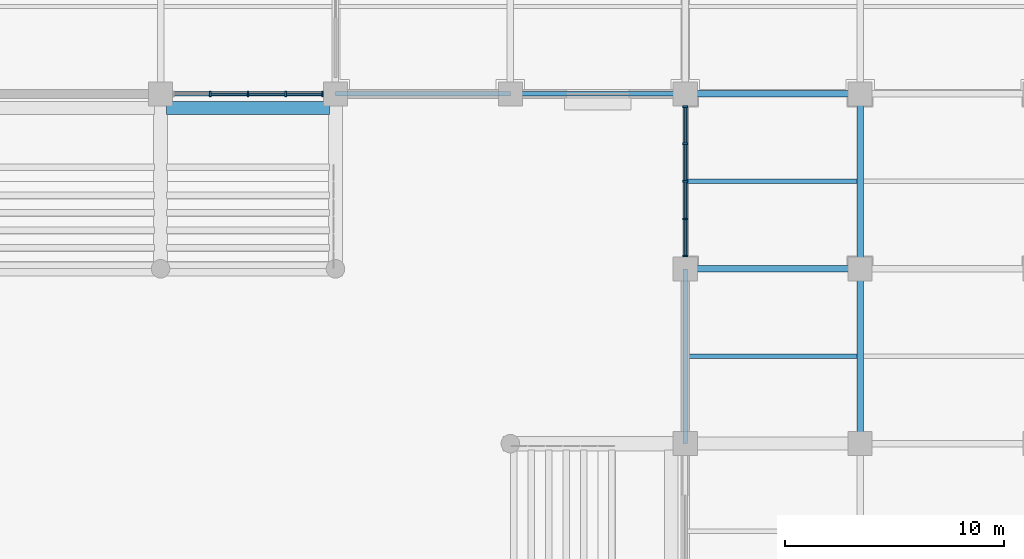
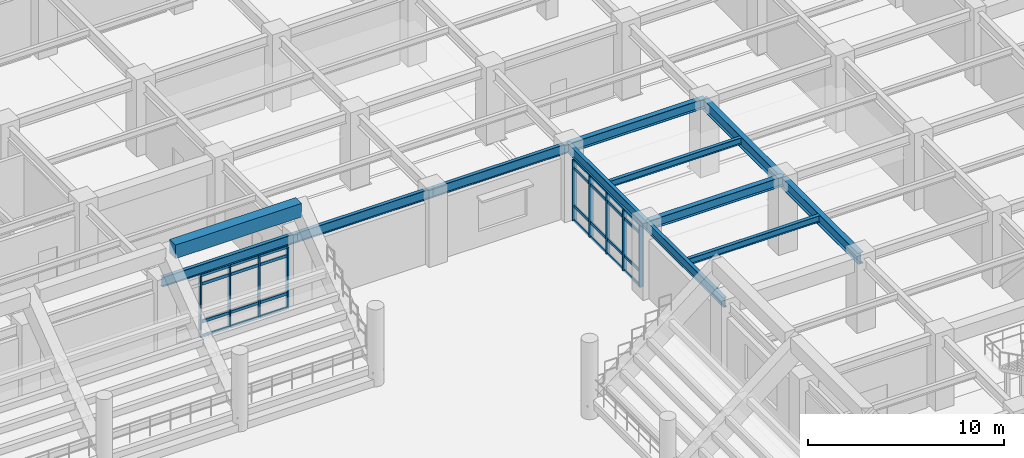
# One storey, part 48 of 125: 37 members, 12 beams, 2 elements without a shape of their own.
"""IFC4 building model written with IfcOpenShell, lengths in metres."""

from ifc_helpers import new_model, si_unit, direction, frame, origin, origin_2d, place, context, subcontext, project, spatial, rectangle, i_section, extrude, material, layer, layer_set, material_profile, profile_set, type_object, element, aggregate, save


model = new_model("IFC4")

# Units and contexts
model_context = context("Model", 3, precision=1e-05, world=origin(), true_north=direction((0.0, 1.0)))
body_context = subcontext(model_context, "Body", "Model", "MODEL_VIEW")
ifc_project = project(units=[si_unit("LENGTHUNIT", "METRE"), si_unit("AREAUNIT", "SQUARE_METRE"), si_unit("VOLUMEUNIT", "CUBIC_METRE"), si_unit("PLANEANGLEUNIT", "RADIAN"), si_unit("MASSUNIT", "GRAM", prefix="KILO")], contexts=[model_context])

# Site, building, storey
site_placement = place(None, origin())
site = spatial("IfcSite", under=ifc_project, at=site_placement, CompositionType="ELEMENT")
building_placement = place(site_placement, origin())
building = spatial("IfcBuilding", under=site, at=building_placement, Name="Haebicheon Civic Stadium", CompositionType="ELEMENT")
storey_placement = place(building_placement, origin())
storey = spatial("IfcBuildingStorey", under=building, at=storey_placement, Name="L01", CompositionType="ELEMENT", Elevation=0.0)

# Beams
ifc_material_1 = material(Name="Steel SM355 (S355)", Category="steel")
ifc_material_profile_1 = material_profile(ifc_material_1, i_section(OverallWidth=0.300048828125, OverallDepth=0.60009765625, WebThickness=0.011962890625, FlangeThickness=0.02001953125, at=origin_2d()), Name="H-600x300x12x20")
ifc_profile_set_1 = profile_set([ifc_material_profile_1], Name="Steel SM355 (S355)")
beam_type_1 = type_object("IfcBeamType", Name="BM-ST-H600A", PredefinedType="BEAM", material=ifc_profile_set_1)
for number, where, z_axis, x_axis, name in (
    (1, (144.0, 144.0, 4.219970703125), (1.0, 0.0, 0.0), (0.0, 1.0, 0.0), "L01 beam U/19-20"),
    (2, (144.0, 152.0, 4.219970703125), (1.0, 0.0, 0.0), (0.0, 1.0, 0.0), "L01 beam V/19-20"),
):
    element("IfcBeam", number, at=place(storey_placement, frame(where, z_axis=z_axis, x_axis=x_axis)), inside=storey, type_object=beam_type_1, material=ifc_profile_set_1, Name=name, PredefinedType="BEAM", context=body_context, shape_type="SweptSolid", body=[
        extrude(i_section(OverallWidth=0.300048828125, OverallDepth=0.60009765625, WebThickness=0.011962890625, FlangeThickness=0.02001953125, at=origin_2d()), origin(), (0.0, 0.0, 1.0), 8.0),
    ])
ifc_material_2 = material(Name="Steel SM490", Category="steel")
ifc_material_profile_2 = material_profile(ifc_material_2, i_section(OverallWidth=0.300048828125, OverallDepth=0.699951171875, WebThickness=0.012939453125, FlangeThickness=0.02392578125, at=origin_2d()), Name="H-700x300x13x24")
ifc_profile_set_2 = profile_set([ifc_material_profile_2], Name="Steel SM490")
beam_type_2 = type_object("IfcBeamType", Name="BM-ST-H700", PredefinedType="BEAM", material=ifc_profile_set_2)
for number, where, z_axis, x_axis, name in (
    (3, (152.0, 136.0, 4.169921875), (0.0, 1.0, 0.0), (-1.0, 0.0, 0.0), "L01 girder 20/T-U"),
    (4, (152.0, 144.0, 4.169921875), (0.0, 1.0, 0.0), (-1.0, 0.0, 0.0), "L01 girder 20/U-V"),
):
    element("IfcBeam", number, at=place(storey_placement, frame(where, z_axis=z_axis, x_axis=x_axis)), inside=storey, type_object=beam_type_2, material=ifc_profile_set_2, Name=name, PredefinedType="BEAM", context=body_context, shape_type="SweptSolid", body=[
        extrude(i_section(OverallWidth=0.300048828125, OverallDepth=0.699951171875, WebThickness=0.012939453125, FlangeThickness=0.02392578125, at=origin_2d()), origin(), (0.0, 0.0, 1.0), 8.0),
    ])
ifc_material_3 = material(Name="Precast concrete C40/50", Category="concrete")
ifc_material_profile_3 = material_profile(ifc_material_3, rectangle(XDim=0.60009765625, YDim=0.85009765625, at=origin_2d()), Name="PC-TB-600x850")
ifc_profile_set_3 = profile_set([ifc_material_profile_3], Name="Precast concrete C40/50")
beam_type_3 = type_object("IfcBeamType", Name="BM-TB-600x850", PredefinedType="T_BEAM", material=ifc_profile_set_3)
beam_placement = place(storey_placement, frame((120.280029296875, 151.360107421875, 6.534912109375), z_axis=(1.0, 0.0, 0.0), x_axis=(0.0, 1.0, 0.0)))
element("IfcBeam", 5, at=beam_placement, inside=storey, type_object=beam_type_3, material=ifc_profile_set_3, Name="TIER-N-L upper tier bench carrier beam 6", PredefinedType="T_BEAM", context=body_context, shape_type="SweptSolid", body=[
    extrude(rectangle(XDim=0.60009765625, YDim=0.85009765625, at=origin_2d()), origin(), (0.0, 0.0, 1.0), 7.43994140625),
])

# Curtain wall, members
ifc_material_4 = material(Name="Anodised aluminium and laminated glass", Category="aluminium")
ifc_layer = layer(ifc_material_4, 0.179931640625, Name="Anodised aluminium and laminated glass")
ifc_layer_set = layer_set([ifc_layer], Name="Anodised aluminium and laminated glass")
curtain_wall_type = type_object("IfcCurtainWallType", Name="CW-6900x3810", PredefinedType="NOTDEFINED", material=ifc_layer_set)
curtain_wall_1_placement = place(storey_placement, origin())
curtain_wall_1 = element("IfcCurtainWall", 6, at=curtain_wall_1_placement, inside=storey, type_object=curtain_wall_type, material=ifc_layer_set, Name="L01 unitised curtain wall 011", PredefinedType="NOTDEFINED")
ifc_material_5 = material(Name="Anodised aluminium 6063-T6", Category="aluminium")
ifc_material_profile_4 = material_profile(ifc_material_5, rectangle(XDim=0.080078125, YDim=0.239990234375, at=origin_2d()), Name="ALU-MULL-80x240")
ifc_profile_set_4 = profile_set([ifc_material_profile_4], Name="Anodised aluminium 6063-T6")
member_type_1 = type_object("IfcMemberType", Name="CWM-240x80", PredefinedType="MULLION", material=ifc_profile_set_4)
member_1_placement = place(storey_placement, frame((122.27490234375, 152.0, 0.0), z_axis=(0.0, 0.0, 1.0), x_axis=(1.0, 0.0, 0.0)))
member_1 = element("IfcMember", 7, at=member_1_placement, type_object=member_type_1, material=ifc_profile_set_4, Name="CW-L01-011 vertical mullion 2", PredefinedType="MULLION", context=body_context, shape_type="SweptSolid", body=[
    extrude(rectangle(XDim=0.080078125, YDim=0.239990234375, at=origin_2d()), origin(), (0.0, 0.0, 1.0), 3.81005859375),
])
member_2_placement = place(storey_placement, frame((124.0, 152.0, 0.0), z_axis=(0.0, 0.0, 1.0), x_axis=(1.0, 0.0, 0.0)))
member_2 = element("IfcMember", 8, at=member_2_placement, type_object=member_type_1, material=ifc_profile_set_4, Name="CW-L01-011 vertical mullion 3", PredefinedType="MULLION", context=body_context, shape_type="SweptSolid", body=[
    extrude(rectangle(XDim=0.080078125, YDim=0.239990234375, at=origin_2d()), origin(), (0.0, 0.0, 1.0), 3.81005859375),
])
member_3_placement = place(storey_placement, frame((125.72509765625, 152.0, 0.0), z_axis=(0.0, 0.0, 1.0), x_axis=(1.0, 0.0, 0.0)))
member_3 = element("IfcMember", 9, at=member_3_placement, type_object=member_type_1, material=ifc_profile_set_4, Name="CW-L01-011 vertical mullion 4", PredefinedType="MULLION", context=body_context, shape_type="SweptSolid", body=[
    extrude(rectangle(XDim=0.080078125, YDim=0.239990234375, at=origin_2d()), origin(), (0.0, 0.0, 1.0), 3.81005859375),
])
member_4_placement = place(storey_placement, frame((127.409912109375, 152.0, 0.0), z_axis=(0.0, 0.0, 1.0), x_axis=(1.0, 0.0, 0.0)))
member_4 = element("IfcMember", 10, at=member_4_placement, type_object=member_type_1, material=ifc_profile_set_4, Name="CW-L01-011 vertical mullion 5", PredefinedType="MULLION", context=body_context, shape_type="SweptSolid", body=[
    extrude(rectangle(XDim=0.080078125, YDim=0.239990234375, at=origin_2d()), origin(), (0.0, 0.0, 1.0), 3.81005859375),
])

curtain_wall_2_placement = place(storey_placement, origin())
curtain_wall_2 = element("IfcCurtainWall", 11, at=curtain_wall_2_placement, inside=storey, type_object=curtain_wall_type, material=ifc_layer_set, Name="L01 unitised curtain wall 016", PredefinedType="NOTDEFINED")
member_5_placement = place(storey_placement, frame((144.0, 144.590087890625, 0.0), z_axis=(0.0, 0.0, 1.0), x_axis=(0.0, 1.0, 0.0)))
member_5 = element("IfcMember", 12, at=member_5_placement, type_object=member_type_1, material=ifc_profile_set_4, Name="CW-L01-016 vertical mullion 1", PredefinedType="MULLION", context=body_context, shape_type="SweptSolid", body=[
    extrude(rectangle(XDim=0.080078125, YDim=0.239990234375, at=origin_2d()), origin(), (0.0, 0.0, 1.0), 3.81005859375),
])
member_6_placement = place(storey_placement, frame((144.0, 146.27490234375, 0.0), z_axis=(0.0, 0.0, 1.0), x_axis=(0.0, 1.0, 0.0)))
member_6 = element("IfcMember", 13, at=member_6_placement, type_object=member_type_1, material=ifc_profile_set_4, Name="CW-L01-016 vertical mullion 2", PredefinedType="MULLION", context=body_context, shape_type="SweptSolid", body=[
    extrude(rectangle(XDim=0.080078125, YDim=0.239990234375, at=origin_2d()), origin(), (0.0, 0.0, 1.0), 3.81005859375),
])
member_7_placement = place(storey_placement, frame((144.0, 148.0, 0.0), z_axis=(0.0, 0.0, 1.0), x_axis=(0.0, 1.0, 0.0)))
member_7 = element("IfcMember", 14, at=member_7_placement, type_object=member_type_1, material=ifc_profile_set_4, Name="CW-L01-016 vertical mullion 3", PredefinedType="MULLION", context=body_context, shape_type="SweptSolid", body=[
    extrude(rectangle(XDim=0.080078125, YDim=0.239990234375, at=origin_2d()), origin(), (0.0, 0.0, 1.0), 3.81005859375),
])
member_8_placement = place(storey_placement, frame((144.0, 149.72509765625, 0.0), z_axis=(0.0, 0.0, 1.0), x_axis=(0.0, 1.0, 0.0)))
member_8 = element("IfcMember", 15, at=member_8_placement, type_object=member_type_1, material=ifc_profile_set_4, Name="CW-L01-016 vertical mullion 4", PredefinedType="MULLION", context=body_context, shape_type="SweptSolid", body=[
    extrude(rectangle(XDim=0.080078125, YDim=0.239990234375, at=origin_2d()), origin(), (0.0, 0.0, 1.0), 3.81005859375),
])
member_9_placement = place(storey_placement, frame((144.0, 151.409912109375, 0.0), z_axis=(0.0, 0.0, 1.0), x_axis=(0.0, 1.0, 0.0)))
member_9 = element("IfcMember", 16, at=member_9_placement, type_object=member_type_1, material=ifc_profile_set_4, Name="CW-L01-016 vertical mullion 5", PredefinedType="MULLION", context=body_context, shape_type="SweptSolid", body=[
    extrude(rectangle(XDim=0.080078125, YDim=0.239990234375, at=origin_2d()), origin(), (0.0, 0.0, 1.0), 3.81005859375),
])

# Member
ifc_material_6 = material(Name="Anodised aluminium 6063-T6", Category="aluminium")
ifc_material_profile_5 = material_profile(ifc_material_6, rectangle(XDim=0.080078125, YDim=0.179931640625, at=origin_2d()), Name="ALU-TRAN-80x180")
ifc_profile_set_5 = profile_set([ifc_material_profile_5], Name="Anodised aluminium 6063-T6")
member_type_2 = type_object("IfcMemberType", Name="CWT-180x80", PredefinedType="NOTDEFINED", material=ifc_profile_set_5)
member_10_placement = place(storey_placement, frame((122.31494140625, 152.0, 0.0), z_axis=(1.0, 0.0, 0.0), x_axis=(0.0, 1.0, 0.0)))
member_10 = element("IfcMember", 17, at=member_10_placement, type_object=member_type_2, material=ifc_profile_set_5, Name="CW-L01-011 horizontal transom 2.1", ObjectType="TRANSOM", PredefinedType="USERDEFINED", context=body_context, shape_type="SweptSolid", body=[
    extrude(rectangle(XDim=0.080078125, YDim=0.179931640625, at=origin_2d()), origin(), (0.0, 0.0, 1.0), 1.64501953125),
])

member_11_placement = place(storey_placement, frame((122.31494140625, 152.0, 0.89990234375), z_axis=(1.0, 0.0, 0.0), x_axis=(0.0, 1.0, 0.0)))
member_11 = element("IfcMember", 18, at=member_11_placement, type_object=member_type_2, material=ifc_profile_set_5, Name="CW-L01-011 horizontal transom 2.2", ObjectType="TRANSOM", PredefinedType="USERDEFINED", context=body_context, shape_type="SweptSolid", body=[
    extrude(rectangle(XDim=0.080078125, YDim=0.179931640625, at=origin_2d()), origin(), (0.0, 0.0, 1.0), 1.64501953125),
])

member_12_placement = place(storey_placement, frame((122.31494140625, 152.0, 3.260009765625), z_axis=(1.0, 0.0, 0.0), x_axis=(0.0, 1.0, 0.0)))
member_12 = element("IfcMember", 19, at=member_12_placement, type_object=member_type_2, material=ifc_profile_set_5, Name="CW-L01-011 horizontal transom 2.3", ObjectType="TRANSOM", PredefinedType="USERDEFINED", context=body_context, shape_type="SweptSolid", body=[
    extrude(rectangle(XDim=0.080078125, YDim=0.179931640625, at=origin_2d()), origin(), (0.0, 0.0, 1.0), 1.64501953125),
])

member_13_placement = place(storey_placement, frame((122.31494140625, 152.0, 3.81005859375), z_axis=(1.0, 0.0, 0.0), x_axis=(0.0, 1.0, 0.0)))
member_13 = element("IfcMember", 20, at=member_13_placement, type_object=member_type_2, material=ifc_profile_set_5, Name="CW-L01-011 horizontal transom 2.4", ObjectType="TRANSOM", PredefinedType="USERDEFINED", context=body_context, shape_type="SweptSolid", body=[
    extrude(rectangle(XDim=0.080078125, YDim=0.179931640625, at=origin_2d()), origin(), (0.0, 0.0, 1.0), 1.64501953125),
])

member_14_placement = place(storey_placement, frame((124.0400390625, 152.0, 0.0), z_axis=(1.0, 0.0, 0.0), x_axis=(0.0, 1.0, 0.0)))
member_14 = element("IfcMember", 21, at=member_14_placement, type_object=member_type_2, material=ifc_profile_set_5, Name="CW-L01-011 horizontal transom 3.1", ObjectType="TRANSOM", PredefinedType="USERDEFINED", context=body_context, shape_type="SweptSolid", body=[
    extrude(rectangle(XDim=0.080078125, YDim=0.179931640625, at=origin_2d()), origin(), (0.0, 0.0, 1.0), 1.64501953125),
])

member_15_placement = place(storey_placement, frame((124.0400390625, 152.0, 0.89990234375), z_axis=(1.0, 0.0, 0.0), x_axis=(0.0, 1.0, 0.0)))
member_15 = element("IfcMember", 22, at=member_15_placement, type_object=member_type_2, material=ifc_profile_set_5, Name="CW-L01-011 horizontal transom 3.2", ObjectType="TRANSOM", PredefinedType="USERDEFINED", context=body_context, shape_type="SweptSolid", body=[
    extrude(rectangle(XDim=0.080078125, YDim=0.179931640625, at=origin_2d()), origin(), (0.0, 0.0, 1.0), 1.64501953125),
])

member_16_placement = place(storey_placement, frame((124.0400390625, 152.0, 3.260009765625), z_axis=(1.0, 0.0, 0.0), x_axis=(0.0, 1.0, 0.0)))
member_16 = element("IfcMember", 23, at=member_16_placement, type_object=member_type_2, material=ifc_profile_set_5, Name="CW-L01-011 horizontal transom 3.3", ObjectType="TRANSOM", PredefinedType="USERDEFINED", context=body_context, shape_type="SweptSolid", body=[
    extrude(rectangle(XDim=0.080078125, YDim=0.179931640625, at=origin_2d()), origin(), (0.0, 0.0, 1.0), 1.64501953125),
])

member_17_placement = place(storey_placement, frame((124.0400390625, 152.0, 3.81005859375), z_axis=(1.0, 0.0, 0.0), x_axis=(0.0, 1.0, 0.0)))
member_17 = element("IfcMember", 24, at=member_17_placement, type_object=member_type_2, material=ifc_profile_set_5, Name="CW-L01-011 horizontal transom 3.4", ObjectType="TRANSOM", PredefinedType="USERDEFINED", context=body_context, shape_type="SweptSolid", body=[
    extrude(rectangle(XDim=0.080078125, YDim=0.179931640625, at=origin_2d()), origin(), (0.0, 0.0, 1.0), 1.64501953125),
])

member_18_placement = place(storey_placement, frame((125.764892578125, 152.0, 0.0), z_axis=(1.0, 0.0, 0.0), x_axis=(0.0, 1.0, 0.0)))
member_18 = element("IfcMember", 25, at=member_18_placement, type_object=member_type_2, material=ifc_profile_set_5, Name="CW-L01-011 horizontal transom 4.1", ObjectType="TRANSOM", PredefinedType="USERDEFINED", context=body_context, shape_type="SweptSolid", body=[
    extrude(rectangle(XDim=0.080078125, YDim=0.179931640625, at=origin_2d()), origin(), (0.0, 0.0, 1.0), 1.605224609375),
])

member_19_placement = place(storey_placement, frame((125.764892578125, 152.0, 0.89990234375), z_axis=(1.0, 0.0, 0.0), x_axis=(0.0, 1.0, 0.0)))
member_19 = element("IfcMember", 26, at=member_19_placement, type_object=member_type_2, material=ifc_profile_set_5, Name="CW-L01-011 horizontal transom 4.2", ObjectType="TRANSOM", PredefinedType="USERDEFINED", context=body_context, shape_type="SweptSolid", body=[
    extrude(rectangle(XDim=0.080078125, YDim=0.179931640625, at=origin_2d()), origin(), (0.0, 0.0, 1.0), 1.605224609375),
])

member_20_placement = place(storey_placement, frame((125.764892578125, 152.0, 3.260009765625), z_axis=(1.0, 0.0, 0.0), x_axis=(0.0, 1.0, 0.0)))
member_20 = element("IfcMember", 27, at=member_20_placement, type_object=member_type_2, material=ifc_profile_set_5, Name="CW-L01-011 horizontal transom 4.3", ObjectType="TRANSOM", PredefinedType="USERDEFINED", context=body_context, shape_type="SweptSolid", body=[
    extrude(rectangle(XDim=0.080078125, YDim=0.179931640625, at=origin_2d()), origin(), (0.0, 0.0, 1.0), 1.605224609375),
])

member_21_placement = place(storey_placement, frame((125.764892578125, 152.0, 3.81005859375), z_axis=(1.0, 0.0, 0.0), x_axis=(0.0, 1.0, 0.0)))
member_21 = element("IfcMember", 28, at=member_21_placement, type_object=member_type_2, material=ifc_profile_set_5, Name="CW-L01-011 horizontal transom 4.4", ObjectType="TRANSOM", PredefinedType="USERDEFINED", context=body_context, shape_type="SweptSolid", body=[
    extrude(rectangle(XDim=0.080078125, YDim=0.179931640625, at=origin_2d()), origin(), (0.0, 0.0, 1.0), 1.605224609375),
])

aggregate(curtain_wall_1, [member_1, member_2, member_3, member_4, member_10, member_11, member_12, member_13, member_14, member_15, member_16, member_17, member_18, member_19, member_20, member_21])

member_22_placement = place(storey_placement, frame((144.0, 144.6298828125, 0.0), z_axis=(0.0, 1.0, 0.0), x_axis=(-1.0, 0.0, 0.0)))
member_22 = element("IfcMember", 29, at=member_22_placement, type_object=member_type_2, material=ifc_profile_set_5, Name="CW-L01-016 horizontal transom 1.1", ObjectType="TRANSOM", PredefinedType="USERDEFINED", context=body_context, shape_type="SweptSolid", body=[
    extrude(rectangle(XDim=0.080078125, YDim=0.179931640625, at=origin_2d()), origin(), (0.0, 0.0, 1.0), 1.605224609375),
])

member_23_placement = place(storey_placement, frame((144.0, 144.6298828125, 0.89990234375), z_axis=(0.0, 1.0, 0.0), x_axis=(-1.0, 0.0, 0.0)))
member_23 = element("IfcMember", 30, at=member_23_placement, type_object=member_type_2, material=ifc_profile_set_5, Name="CW-L01-016 horizontal transom 1.2", ObjectType="TRANSOM", PredefinedType="USERDEFINED", context=body_context, shape_type="SweptSolid", body=[
    extrude(rectangle(XDim=0.080078125, YDim=0.179931640625, at=origin_2d()), origin(), (0.0, 0.0, 1.0), 1.605224609375),
])

member_24_placement = place(storey_placement, frame((144.0, 144.6298828125, 3.260009765625), z_axis=(0.0, 1.0, 0.0), x_axis=(-1.0, 0.0, 0.0)))
member_24 = element("IfcMember", 31, at=member_24_placement, type_object=member_type_2, material=ifc_profile_set_5, Name="CW-L01-016 horizontal transom 1.3", ObjectType="TRANSOM", PredefinedType="USERDEFINED", context=body_context, shape_type="SweptSolid", body=[
    extrude(rectangle(XDim=0.080078125, YDim=0.179931640625, at=origin_2d()), origin(), (0.0, 0.0, 1.0), 1.605224609375),
])

member_25_placement = place(storey_placement, frame((144.0, 144.6298828125, 3.81005859375), z_axis=(0.0, 1.0, 0.0), x_axis=(-1.0, 0.0, 0.0)))
member_25 = element("IfcMember", 32, at=member_25_placement, type_object=member_type_2, material=ifc_profile_set_5, Name="CW-L01-016 horizontal transom 1.4", ObjectType="TRANSOM", PredefinedType="USERDEFINED", context=body_context, shape_type="SweptSolid", body=[
    extrude(rectangle(XDim=0.080078125, YDim=0.179931640625, at=origin_2d()), origin(), (0.0, 0.0, 1.0), 1.605224609375),
])

member_26_placement = place(storey_placement, frame((144.0, 146.31494140625, 0.0), z_axis=(0.0, 1.0, 0.0), x_axis=(-1.0, 0.0, 0.0)))
member_26 = element("IfcMember", 33, at=member_26_placement, type_object=member_type_2, material=ifc_profile_set_5, Name="CW-L01-016 horizontal transom 2.1", ObjectType="TRANSOM", PredefinedType="USERDEFINED", context=body_context, shape_type="SweptSolid", body=[
    extrude(rectangle(XDim=0.080078125, YDim=0.179931640625, at=origin_2d()), origin(), (0.0, 0.0, 1.0), 1.64501953125),
])

member_27_placement = place(storey_placement, frame((144.0, 146.31494140625, 0.89990234375), z_axis=(0.0, 1.0, 0.0), x_axis=(-1.0, 0.0, 0.0)))
member_27 = element("IfcMember", 34, at=member_27_placement, type_object=member_type_2, material=ifc_profile_set_5, Name="CW-L01-016 horizontal transom 2.2", ObjectType="TRANSOM", PredefinedType="USERDEFINED", context=body_context, shape_type="SweptSolid", body=[
    extrude(rectangle(XDim=0.080078125, YDim=0.179931640625, at=origin_2d()), origin(), (0.0, 0.0, 1.0), 1.64501953125),
])

member_28_placement = place(storey_placement, frame((144.0, 146.31494140625, 3.260009765625), z_axis=(0.0, 1.0, 0.0), x_axis=(-1.0, 0.0, 0.0)))
member_28 = element("IfcMember", 35, at=member_28_placement, type_object=member_type_2, material=ifc_profile_set_5, Name="CW-L01-016 horizontal transom 2.3", ObjectType="TRANSOM", PredefinedType="USERDEFINED", context=body_context, shape_type="SweptSolid", body=[
    extrude(rectangle(XDim=0.080078125, YDim=0.179931640625, at=origin_2d()), origin(), (0.0, 0.0, 1.0), 1.64501953125),
])

member_29_placement = place(storey_placement, frame((144.0, 146.31494140625, 3.81005859375), z_axis=(0.0, 1.0, 0.0), x_axis=(-1.0, 0.0, 0.0)))
member_29 = element("IfcMember", 36, at=member_29_placement, type_object=member_type_2, material=ifc_profile_set_5, Name="CW-L01-016 horizontal transom 2.4", ObjectType="TRANSOM", PredefinedType="USERDEFINED", context=body_context, shape_type="SweptSolid", body=[
    extrude(rectangle(XDim=0.080078125, YDim=0.179931640625, at=origin_2d()), origin(), (0.0, 0.0, 1.0), 1.64501953125),
])

member_30_placement = place(storey_placement, frame((144.0, 148.0400390625, 0.0), z_axis=(0.0, 1.0, 0.0), x_axis=(-1.0, 0.0, 0.0)))
member_30 = element("IfcMember", 37, at=member_30_placement, type_object=member_type_2, material=ifc_profile_set_5, Name="CW-L01-016 horizontal transom 3.1", ObjectType="TRANSOM", PredefinedType="USERDEFINED", context=body_context, shape_type="SweptSolid", body=[
    extrude(rectangle(XDim=0.080078125, YDim=0.179931640625, at=origin_2d()), origin(), (0.0, 0.0, 1.0), 1.64501953125),
])

member_31_placement = place(storey_placement, frame((144.0, 148.0400390625, 0.89990234375), z_axis=(0.0, 1.0, 0.0), x_axis=(-1.0, 0.0, 0.0)))
member_31 = element("IfcMember", 38, at=member_31_placement, type_object=member_type_2, material=ifc_profile_set_5, Name="CW-L01-016 horizontal transom 3.2", ObjectType="TRANSOM", PredefinedType="USERDEFINED", context=body_context, shape_type="SweptSolid", body=[
    extrude(rectangle(XDim=0.080078125, YDim=0.179931640625, at=origin_2d()), origin(), (0.0, 0.0, 1.0), 1.64501953125),
])

member_32_placement = place(storey_placement, frame((144.0, 148.0400390625, 3.260009765625), z_axis=(0.0, 1.0, 0.0), x_axis=(-1.0, 0.0, 0.0)))
member_32 = element("IfcMember", 39, at=member_32_placement, type_object=member_type_2, material=ifc_profile_set_5, Name="CW-L01-016 horizontal transom 3.3", ObjectType="TRANSOM", PredefinedType="USERDEFINED", context=body_context, shape_type="SweptSolid", body=[
    extrude(rectangle(XDim=0.080078125, YDim=0.179931640625, at=origin_2d()), origin(), (0.0, 0.0, 1.0), 1.64501953125),
])

member_33_placement = place(storey_placement, frame((144.0, 148.0400390625, 3.81005859375), z_axis=(0.0, 1.0, 0.0), x_axis=(-1.0, 0.0, 0.0)))
member_33 = element("IfcMember", 40, at=member_33_placement, type_object=member_type_2, material=ifc_profile_set_5, Name="CW-L01-016 horizontal transom 3.4", ObjectType="TRANSOM", PredefinedType="USERDEFINED", context=body_context, shape_type="SweptSolid", body=[
    extrude(rectangle(XDim=0.080078125, YDim=0.179931640625, at=origin_2d()), origin(), (0.0, 0.0, 1.0), 1.64501953125),
])

member_34_placement = place(storey_placement, frame((144.0, 149.764892578125, 0.0), z_axis=(0.0, 1.0, 0.0), x_axis=(-1.0, 0.0, 0.0)))
member_34 = element("IfcMember", 41, at=member_34_placement, type_object=member_type_2, material=ifc_profile_set_5, Name="CW-L01-016 horizontal transom 4.1", ObjectType="TRANSOM", PredefinedType="USERDEFINED", context=body_context, shape_type="SweptSolid", body=[
    extrude(rectangle(XDim=0.080078125, YDim=0.179931640625, at=origin_2d()), origin(), (0.0, 0.0, 1.0), 1.605224609375),
])

member_35_placement = place(storey_placement, frame((144.0, 149.764892578125, 0.89990234375), z_axis=(0.0, 1.0, 0.0), x_axis=(-1.0, 0.0, 0.0)))
member_35 = element("IfcMember", 42, at=member_35_placement, type_object=member_type_2, material=ifc_profile_set_5, Name="CW-L01-016 horizontal transom 4.2", ObjectType="TRANSOM", PredefinedType="USERDEFINED", context=body_context, shape_type="SweptSolid", body=[
    extrude(rectangle(XDim=0.080078125, YDim=0.179931640625, at=origin_2d()), origin(), (0.0, 0.0, 1.0), 1.605224609375),
])

member_36_placement = place(storey_placement, frame((144.0, 149.764892578125, 3.260009765625), z_axis=(0.0, 1.0, 0.0), x_axis=(-1.0, 0.0, 0.0)))
member_36 = element("IfcMember", 43, at=member_36_placement, type_object=member_type_2, material=ifc_profile_set_5, Name="CW-L01-016 horizontal transom 4.3", ObjectType="TRANSOM", PredefinedType="USERDEFINED", context=body_context, shape_type="SweptSolid", body=[
    extrude(rectangle(XDim=0.080078125, YDim=0.179931640625, at=origin_2d()), origin(), (0.0, 0.0, 1.0), 1.605224609375),
])

member_37_placement = place(storey_placement, frame((144.0, 149.764892578125, 3.81005859375), z_axis=(0.0, 1.0, 0.0), x_axis=(-1.0, 0.0, 0.0)))
member_37 = element("IfcMember", 44, at=member_37_placement, type_object=member_type_2, material=ifc_profile_set_5, Name="CW-L01-016 horizontal transom 4.4", ObjectType="TRANSOM", PredefinedType="USERDEFINED", context=body_context, shape_type="SweptSolid", body=[
    extrude(rectangle(XDim=0.080078125, YDim=0.179931640625, at=origin_2d()), origin(), (0.0, 0.0, 1.0), 1.605224609375),
])

aggregate(curtain_wall_2, [member_5, member_6, member_7, member_8, member_9, member_22, member_23, member_24, member_25, member_26, member_27, member_28, member_29, member_30, member_31, member_32, member_33, member_34, member_35, member_36, member_37])

# Beams
ifc_material_7 = material(Name="Steel SM355 (S355)", Category="steel")
ifc_material_profile_6 = material_profile(ifc_material_7, i_section(OverallWidth=0.199951171875, OverallDepth=0.39990234375, WebThickness=0.008056640625, FlangeThickness=0.012939453125, at=origin_2d()), Name="H-400x200x8x13")
ifc_profile_set_6 = profile_set([ifc_material_profile_6], Name="Steel SM355 (S355)")
beam_type_4 = type_object("IfcBeamType", Name="JST-ST-H400", PredefinedType="JOIST", material=ifc_profile_set_6)
for number, where, z_axis, x_axis, name in (
    (45, (144.10009765625, 140.0, 4.320068359375), (1.0, 0.0, 0.0), (0.0, 1.0, 0.0), "L01 secondary joist 18-17"),
    (46, (144.10009765625, 148.0, 4.320068359375), (1.0, 0.0, 0.0), (0.0, 1.0, 0.0), "L01 secondary joist 18-18"),
):
    element("IfcBeam", number, at=place(storey_placement, frame(where, z_axis=z_axis, x_axis=x_axis)), inside=storey, type_object=beam_type_4, material=ifc_profile_set_6, Name=name, PredefinedType="JOIST", context=body_context, shape_type="SweptSolid", body=[
        extrude(i_section(OverallWidth=0.199951171875, OverallDepth=0.39990234375, WebThickness=0.008056640625, FlangeThickness=0.012939453125, at=origin_2d()), origin(), (0.0, 0.0, 1.0), 7.75),
    ])
ifc_material_8 = material(Name="Steel SM355 (S355)", Category="steel")
ifc_material_profile_7 = material_profile(ifc_material_8, i_section(OverallWidth=0.199951171875, OverallDepth=0.60009765625, WebThickness=0.010986328125, FlangeThickness=0.01708984375, at=origin_2d()), Name="H-600x200x11x17")
ifc_profile_set_7 = profile_set([ifc_material_profile_7], Name="Steel SM355 (S355)")
beam_type_5 = type_object("IfcBeamType", Name="SPD-ST-H600B", PredefinedType="SPANDREL", material=ifc_profile_set_7)
for number, where, z_axis, x_axis, name in (
    (47, (144.0, 136.0, 4.219970703125), (0.0, 1.0, 0.0), (-1.0, 0.0, 0.0), "L01 girder 19/T-U"),
    (48, (144.0, 144.0, 4.219970703125), (0.0, 1.0, 0.0), (-1.0, 0.0, 0.0), "L01 girder 19/U-V"),
    (49, (120.0, 152.0, 4.219970703125), (1.0, 0.0, 0.0), (0.0, 1.0, 0.0), "L01 beam V/16-17"),
    (50, (128.0, 152.0, 4.219970703125), (1.0, 0.0, 0.0), (0.0, 1.0, 0.0), "L01 beam V/17-18"),
    (51, (136.0, 152.0, 4.219970703125), (1.0, 0.0, 0.0), (0.0, 1.0, 0.0), "L01 beam V/18-19"),
):
    element("IfcBeam", number, at=place(storey_placement, frame(where, z_axis=z_axis, x_axis=x_axis)), inside=storey, type_object=beam_type_5, material=ifc_profile_set_7, Name=name, PredefinedType="SPANDREL", context=body_context, shape_type="SweptSolid", body=[
        extrude(i_section(OverallWidth=0.199951171875, OverallDepth=0.60009765625, WebThickness=0.010986328125, FlangeThickness=0.01708984375, at=origin_2d()), origin(), (0.0, 0.0, 1.0), 8.0),
    ])

save(model, "model.ifc")
